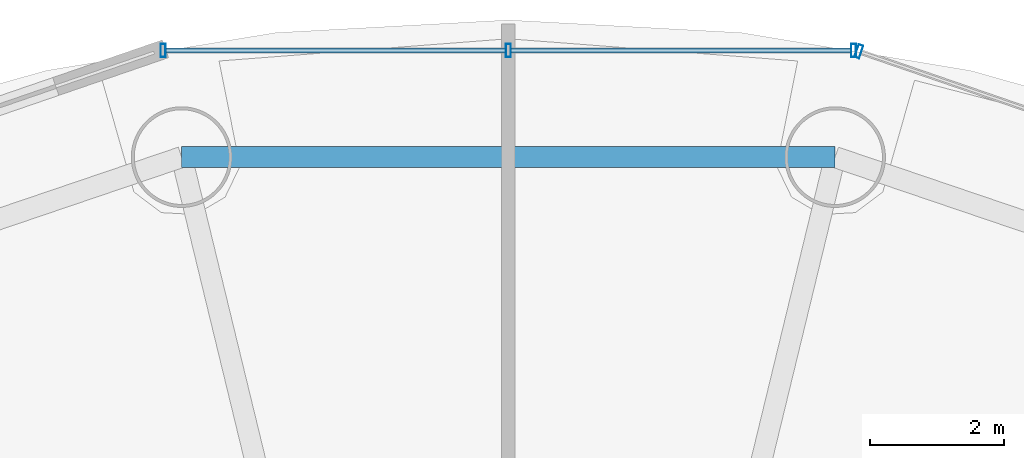
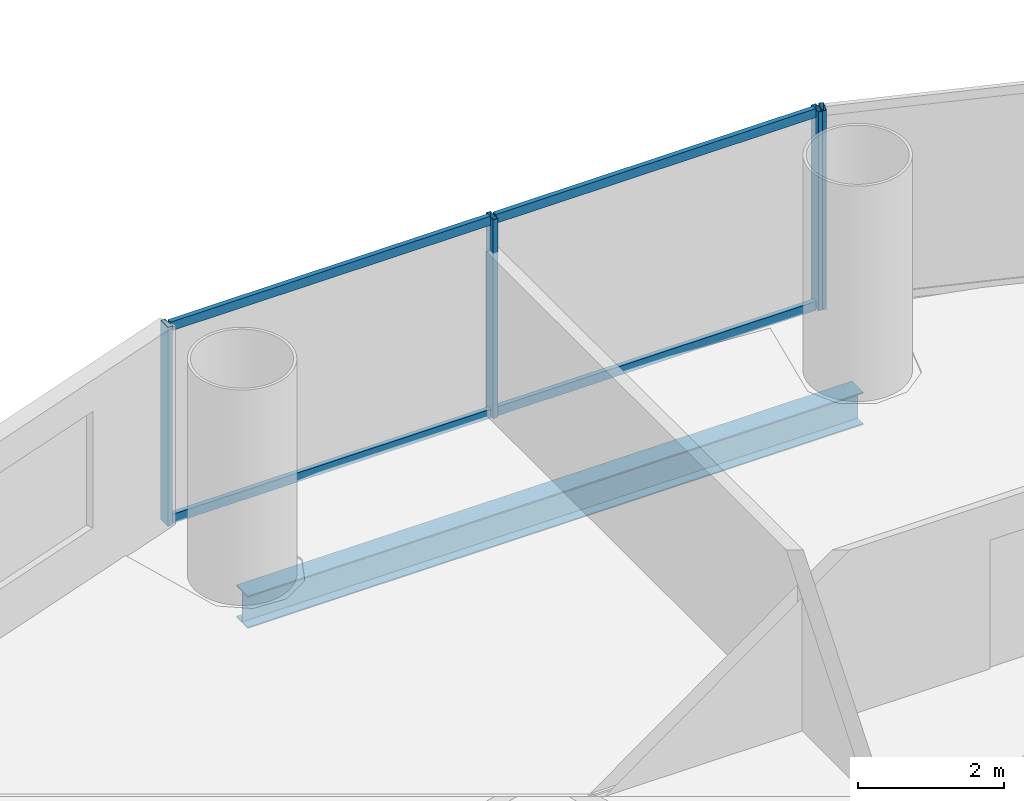
# One storey, part 18 of 29: 8 members, 1 beam, 2 elements without a shape of their own.
"""IFC4 building model written with IfcOpenShell, lengths in metres."""

import ifcopenshell
import ifcopenshell.guid

model = None  # the IFC model being written
_history = None  # IfcOwnerHistory: only IFC2X3 demands one
_inside = {}  # id of a spatial element -> (the spatial element, [elements in it])
_under = {}  # id of a project, library or spatial element -> (it, [spatial elements below it])
_declared = {}  # id of a project -> (the project, [libraries it declares])
_typed = {}  # id of a type object -> (the type object, [elements of that type])
_made_of = {}  # id of a material, layer set ... -> (it, [elements and type objects made of it])


def new_model(schema):
    """Start an empty IFC model of exactly this schema.

    Asked for "IFC4X3", IfcOpenShell would pick the latest addendum, in which some entities
    have other attributes; the version numbers below select the first issue.
    IFC2X3 requires an IfcOwnerHistory on every rooted entity: one is made here for all.
    """
    global model, _history
    if schema == "IFC4X3":
        model = ifcopenshell.file(schema_version=(4, 3, 0, 0))
    else:
        model = ifcopenshell.file(schema=schema)
    _inside.clear()
    _under.clear()
    _declared.clear()
    _typed.clear()
    _made_of.clear()
    _history = None
    if model.schema == "IFC2X3":
        org = make("IfcOrganization", Name="unknown")
        user = make(
            "IfcPersonAndOrganization",
            ThePerson=make("IfcPerson", FamilyName="unknown"),
            TheOrganization=org,
        )
        app = make(
            "IfcApplication",
            ApplicationDeveloper=org,
            Version="unknown",
            ApplicationFullName="unknown",
            ApplicationIdentifier="unknown",
        )
        _history = make(
            "IfcOwnerHistory",
            OwningUser=user,
            OwningApplication=app,
            ChangeAction="ADDED",
            CreationDate=0,
        )
    return model


def make(cls, **values):
    """One entity of the class cls with the attributes given. An attribute that is None is left unset."""
    return model.create_entity(
        cls, **{name: value for name, value in values.items() if value is not None}
    )


def rooted(cls, **values):
    """An entity with a GlobalId (a new one), such as an element, a storey or a relation."""
    return make(cls, GlobalId=ifcopenshell.guid.new(), OwnerHistory=_history, **values)


def si_unit(unit_type, name, prefix=None):
    """IfcSIUnit, for example si_unit("LENGTHUNIT", "METRE", prefix="MILLI")."""
    return make("IfcSIUnit", UnitType=unit_type, Prefix=prefix, Name=name)


def assignment(units):
    """IfcUnitAssignment: the units of a project."""
    return None if units is None else make("IfcUnitAssignment", Units=units)


def point(xyz):
    """IfcCartesianPoint."""
    return None if xyz is None else make("IfcCartesianPoint", Coordinates=xyz)


def direction(xyz):
    """IfcDirection."""
    return None if xyz is None else make("IfcDirection", DirectionRatios=xyz)


def frame(location, z_axis=None, x_axis=None):
    """IfcAxis2Placement3D, a coordinate frame: its origin and axes. An axis left out is left unset."""
    return make(
        "IfcAxis2Placement3D",
        Location=point(location),
        Axis=direction(z_axis),
        RefDirection=direction(x_axis),
    )


def frame_2d(location, x_axis=None):
    """IfcAxis2Placement2D, a coordinate frame in the plane: its origin and x axis."""
    return make(
        "IfcAxis2Placement2D", Location=point(location), RefDirection=direction(x_axis)
    )


def origin():
    """The frame at (0, 0, 0) with its axes left unset."""
    return frame((0.0, 0.0, 0.0))


def origin_2d():
    """The frame at (0, 0) in the plane with its x axis left unset."""
    return frame_2d((0.0, 0.0))


def place(relative_to, where):
    """IfcLocalPlacement: puts the frame where relative to a parent placement (None: the world)."""
    return make(
        "IfcLocalPlacement", PlacementRelTo=relative_to, RelativePlacement=where
    )


def context(
    kind, dimensions, precision=None, world=None, true_north=None, identifier=None
):
    """IfcGeometricRepresentationContext, for example the 3D "Model" context."""
    return make(
        "IfcGeometricRepresentationContext",
        ContextIdentifier=identifier,
        ContextType=kind,
        CoordinateSpaceDimension=dimensions,
        Precision=precision,
        WorldCoordinateSystem=world,
        TrueNorth=true_north,
    )


def subcontext(parent, identifier, kind, view, scale=None):
    """IfcGeometricRepresentationSubContext, for example "Body" below "Model"."""
    return make(
        "IfcGeometricRepresentationSubContext",
        ContextIdentifier=identifier,
        ContextType=kind,
        ParentContext=parent,
        TargetScale=scale,
        TargetView=view,
    )


def project(units=None, contexts=None):
    """IfcProject with its units and contexts."""
    return rooted(
        "IfcProject",
        Name="project",
        RepresentationContexts=contexts,
        UnitsInContext=assignment(units),
    )


def spatial(cls, under=None, at=None, **own):
    """A site, building, storey or space (cls), placed at a placement, below another one or the project."""
    s = rooted(cls, ObjectPlacement=at, **own)
    if under is not None:
        _under.setdefault(under.id(), (under, []))[1].append(s)
    return s


def profile(cls, at=None, kind="AREA", **sizes):
    """A parametric profile (cls). Its sizes go by their IFC names, for example OverallWidth=200.0."""
    return make(cls, ProfileType=kind, Position=at, **sizes)


def hollow_rectangle(**sizes):
    """IfcRectangleHollowProfileDef."""
    return profile("IfcRectangleHollowProfileDef", **sizes)


def i_section(**sizes):
    """IfcIShapeProfileDef."""
    return profile("IfcIShapeProfileDef", **sizes)


def extrude(swept, where, along, depth):
    """IfcExtrudedAreaSolid: the profile swept, set in the frame where, extruded along a direction by depth."""
    return make(
        "IfcExtrudedAreaSolid",
        SweptArea=swept,
        Position=where,
        ExtrudedDirection=direction(along),
        Depth=depth,
    )


def shape(context_of_items, identifier, shape_type, items):
    """IfcShapeRepresentation: the items that make up one representation, for example the "Body"."""
    return make(
        "IfcShapeRepresentation",
        ContextOfItems=context_of_items,
        RepresentationIdentifier=identifier,
        RepresentationType=shape_type,
        Items=items,
    )


def source(mapping_origin, context_of_items, identifier, shape_type, items):
    """IfcRepresentationMap: a shape defined once, which mapped items show again and again."""
    return make(
        "IfcRepresentationMap",
        MappingOrigin=mapping_origin,
        MappedRepresentation=shape(context_of_items, identifier, shape_type, items),
    )


def transform(
    local_origin,
    x_axis=None,
    y_axis=None,
    z_axis=None,
    scale=None,
    scale2=None,
    scale3=None,
    uniform=True,
):
    """IfcCartesianTransformationOperator3D, or its non-uniform kind. x_axis, y_axis, z_axis: its Axis1, 2, 3."""
    if uniform:
        return make(
            "IfcCartesianTransformationOperator3D",
            Axis1=direction(x_axis),
            Axis2=direction(y_axis),
            LocalOrigin=point(local_origin),
            Scale=scale,
            Axis3=direction(z_axis),
        )
    return make(
        "IfcCartesianTransformationOperator3DnonUniform",
        Axis1=direction(x_axis),
        Axis2=direction(y_axis),
        LocalOrigin=point(local_origin),
        Scale=scale,
        Axis3=direction(z_axis),
        Scale2=scale2,
        Scale3=scale3,
    )


def mapped(mapping_source, mapping_target):
    """IfcMappedItem: shows the shape of a source again, moved by a transform."""
    return make(
        "IfcMappedItem", MappingSource=mapping_source, MappingTarget=mapping_target
    )


def material(Name=None, Category=None):
    """IfcMaterial."""
    return make("IfcMaterial", Name=Name, Category=Category)


def material_profile(
    of_material, cross_section, Name=None, Category=None, Priority=None
):
    """IfcMaterialProfile: a cross section and its material."""
    return make(
        "IfcMaterialProfile",
        Name=Name,
        Material=of_material,
        Profile=cross_section,
        Priority=Priority,
        Category=Category,
    )


def profile_set(profiles, Name=None, composite=None):
    """IfcMaterialProfileSet."""
    return make(
        "IfcMaterialProfileSet",
        Name=Name,
        MaterialProfiles=profiles,
        CompositeProfile=composite,
    )


def made_of(thing, what):
    """Note that an element or type object is made of a material, layer set ...; save() writes the relation."""
    if what is not None:
        _made_of.setdefault(what.id(), (what, []))[1].append(thing)
    return thing


def type_object(cls, material=None, **own):
    """A type object (cls), such as IfcWallType, which elements share."""
    return made_of(rooted(cls, **own), material)


def element(
    cls,
    number,
    at=None,
    inside=None,
    cuts=None,
    type_object=None,
    material=None,
    context=None,
    identifier="Body",
    shape_type=None,
    held_by="IfcProductDefinitionShape",
    body=None,
    shapes=None,
    **own,
):
    """One element of the class cls, such as IfcWall. Its Tag is "e" and its number.

    at: its placement. inside: the storey or other place that contains it. cuts: it is an
    opening in that element (IfcRelVoidsElement). A single representation is given by context,
    identifier, shape_type and body (its items); several are given by shapes. held_by: the class
    of the entity that holds the representations. save() writes the other relations.
    """
    e = rooted(cls, Tag="e%d" % number, ObjectPlacement=at, **own)
    if body is not None:
        shapes = [shape(context, identifier, shape_type, body)]
    if shapes is not None:
        e.Representation = make(held_by, Representations=shapes)
    if inside is not None:
        _inside.setdefault(inside.id(), (inside, []))[1].append(e)
    if cuts is not None:
        rooted(
            "IfcRelVoidsElement", RelatingBuildingElement=cuts, RelatedOpeningElement=e
        )
    if type_object is not None:
        _typed.setdefault(type_object.id(), (type_object, []))[1].append(e)
    return made_of(e, material)


def aggregate(whole, parts):
    """IfcRelAggregates: a whole, such as a stair, and the parts it consists of."""
    return rooted("IfcRelAggregates", RelatingObject=whole, RelatedObjects=parts)


def save(model, path):
    """Write the relations noted so far, then the file.

    IfcRelAggregates (storeys below a building ...), IfcRelContainedInSpatialStructure (elements
    in a storey), IfcRelDefinesByType, IfcRelAssociatesMaterial and IfcRelDeclares: one each for
    every whole, place, type object, material and project.
    """
    for whole, parts in _under.values():
        aggregate(whole, parts)
    for where, things in _inside.values():
        rooted(
            "IfcRelContainedInSpatialStructure",
            RelatedElements=things,
            RelatingStructure=where,
        )
    for kind, things in _typed.values():
        rooted("IfcRelDefinesByType", RelatedObjects=things, RelatingType=kind)
    for what, things in _made_of.values():
        rooted("IfcRelAssociatesMaterial", RelatedObjects=things, RelatingMaterial=what)
    for by, libraries in _declared.values():
        rooted("IfcRelDeclares", RelatingContext=by, RelatedDefinitions=libraries)
    model.write(path)


model = new_model("IFC4")

# Units and contexts
model_context = context("Model", 3, precision=1e-05, world=origin(), true_north=direction((-0.2419218956, 0.970295726276)))
body_context = subcontext(model_context, "Body", "Model", "MODEL_VIEW")
ifc_project = project(units=[si_unit("LENGTHUNIT", "METRE"), si_unit("AREAUNIT", "SQUARE_METRE"), si_unit("VOLUMEUNIT", "CUBIC_METRE"), si_unit("PLANEANGLEUNIT", "RADIAN"), si_unit("MASSUNIT", "GRAM", prefix="KILO")], contexts=[model_context])

# Site, building, storey
site_placement = place(None, origin())
site = spatial("IfcSite", under=ifc_project, at=site_placement, CompositionType="ELEMENT")
building_placement = place(site_placement, origin())
building = spatial("IfcBuilding", under=site, at=building_placement, Name="Cobrevalo Terracotta Tower", CompositionType="ELEMENT")
storey_placement = place(building_placement, frame((0.0, 0.0, 79.800048828125)))
storey = spatial("IfcBuildingStorey", under=building, at=storey_placement, Name="L20", CompositionType="ELEMENT", Elevation=79.800048828125)

# Beam
ifc_material_1 = material(Name="Steel S355", Category="steel")
ifc_material_profile_1 = material_profile(ifc_material_1, i_section(OverallWidth=0.31201171875, OverallDepth=0.54296875, WebThickness=0.0126953125, FlangeThickness=0.020263671875, at=origin_2d()), Name="W 530x150")
ifc_profile_set_1 = profile_set([ifc_material_profile_1], Name="Steel S355")
beam_type = type_object("IfcBeamType", Name="Structural Spandrel W 530x150 (Steel S355)", PredefinedType="SPANDREL", material=ifc_profile_set_1)
beam_placement = place(storey_placement, frame((42.867431640625, 46.857177734375, -0.546630859375), z_axis=(-1.0, 0.0, 0.0), x_axis=(0.0, -1.0, 0.0)))
element("IfcBeam", 1, at=beam_placement, inside=storey, type_object=beam_type, Name="L20 perimeter ring spandrel 04", PredefinedType="SPANDREL", context=body_context, shape_type="SweptSolid", body=[
    extrude(i_section(OverallWidth=0.31201171875, OverallDepth=0.54296875, WebThickness=0.0126953125, FlangeThickness=0.020263671875, at=origin_2d()), origin(), (0.0, 0.0, 1.0), 9.73486328125),
])

# Curtain wall, member
ifc_material_2 = material(Name="Anodized aluminium", Category="aluminium")
curtain_wall_type = type_object("IfcCurtainWallType", Name="Lower-tower unitised acoustic low-E curtain wall CW-U1", PredefinedType="NOTDEFINED", material=ifc_material_2)
curtain_wall_1_placement = place(storey_placement, origin())
curtain_wall_1 = element("IfcCurtainWall", 2, at=curtain_wall_1_placement, inside=storey, type_object=curtain_wall_type, Name="L20 curtain wall CW-L20-S03", PredefinedType="NOTDEFINED")
ifc_material_profile_2 = material_profile(ifc_material_2, hollow_rectangle(XDim=0.074951171875, YDim=0.199951171875, WallThickness=0.0048828125, at=origin_2d()), Name="CWM 75x200")
ifc_profile_set_2 = profile_set([ifc_material_profile_2], Name="Anodized aluminium")
member_type_1 = type_object("IfcMemberType", Name="Lower/mid tower unitised mullion 75x200", PredefinedType="MULLION", material=ifc_profile_set_2)
shared_shape_1 = source(origin(), body_context, "Body", "SweptSolid", [
    extrude(hollow_rectangle(XDim=0.074951171875, YDim=0.199951171875, WallThickness=0.0048828125, at=origin_2d()), origin(), (0.0, 0.0, 1.0), 3.324951171875),
])
member_1_placement = place(storey_placement, frame((43.221435546875, 48.432861328125, 0.0), z_axis=(0.0, 0.0, 1.0), x_axis=(-0.94559809868, 0.325337110968, 0.0)))
member_1 = element("IfcMember", 3, at=member_1_placement, type_object=member_type_1, Name="CW-L20-S03 vertical mullion 03", PredefinedType="MULLION", context=body_context, shape_type="MappedRepresentation", body=[
    mapped(shared_shape_1, transform((0.0, 0.0, 0.0), scale=1.0)),
])
aggregate(curtain_wall_1, [member_1])

# Curtain wall, members
curtain_wall_2_placement = place(storey_placement, origin())
curtain_wall_2 = element("IfcCurtainWall", 4, at=curtain_wall_2_placement, inside=storey, type_object=curtain_wall_type, Name="L20 curtain wall CW-L20-S04", PredefinedType="NOTDEFINED")
member_2_placement = place(storey_placement, frame((43.1435546875, 48.446044921875, 0.0), z_axis=(0.0, 0.0, 1.0), x_axis=(-1.0, 0.0, 0.0)))
member_2 = element("IfcMember", 5, at=member_2_placement, type_object=member_type_1, Name="CW-L20-S04 vertical mullion 01", PredefinedType="MULLION", context=body_context, shape_type="MappedRepresentation", body=[
    mapped(shared_shape_1, transform((0.0, 0.0, 0.0), scale=1.0)),
])
member_3_placement = place(storey_placement, frame((38.0, 48.446044921875, 0.0), z_axis=(0.0, 0.0, 1.0), x_axis=(-1.0, 0.0, 0.0)))
member_3 = element("IfcMember", 6, at=member_3_placement, type_object=member_type_1, Name="CW-L20-S04 vertical mullion 02", PredefinedType="MULLION", context=body_context, shape_type="MappedRepresentation", body=[
    mapped(shared_shape_1, transform((0.0, 0.0, 0.0), scale=1.0)),
])
member_4_placement = place(storey_placement, frame((32.8564453125, 48.446044921875, 0.0), z_axis=(0.0, 0.0, 1.0), x_axis=(-1.0, 0.0, 0.0)))
member_4 = element("IfcMember", 7, at=member_4_placement, type_object=member_type_1, Name="CW-L20-S04 vertical mullion 03", PredefinedType="MULLION", context=body_context, shape_type="MappedRepresentation", body=[
    mapped(shared_shape_1, transform((0.0, 0.0, 0.0), scale=1.0)),
])
ifc_material_profile_3 = material_profile(ifc_material_2, hollow_rectangle(XDim=0.074951171875, YDim=0.14990234375, WallThickness=0.00439453125, at=origin_2d()), Name="CWT 75x150")
ifc_profile_set_3 = profile_set([ifc_material_profile_3], Name="Anodized aluminium")
member_type_2 = type_object("IfcMemberType", Name="Tower unitised aluminium transom 75x150", PredefinedType="USERDEFINED", material=ifc_profile_set_3)
shared_shape_2 = source(origin(), body_context, "Body", "SweptSolid", [
    extrude(hollow_rectangle(XDim=0.074951171875, YDim=0.14990234375, WallThickness=0.00439453125, at=origin_2d()), origin(), (0.0, 0.0, 1.0), 5.0634765625),
])
member_5_placement = place(storey_placement, frame((43.103515625, 48.446044921875, 0.050048828125), z_axis=(-1.0, 0.0, 0.0), x_axis=(0.0, -1.0, 0.0)))
member_5 = element("IfcMember", 8, at=member_5_placement, type_object=member_type_2, Name="CW-L20-S04 transom B01-T1", ObjectType="TRANSOM", PredefinedType="USERDEFINED", context=body_context, shape_type="MappedRepresentation", body=[
    mapped(shared_shape_2, transform((0.0, 0.0, 0.0), scale=1.0)),
])
member_6_placement = place(storey_placement, frame((43.103515625, 48.446044921875, 3.27490234375), z_axis=(-1.0, 0.0, 0.0), x_axis=(0.0, -1.0, 0.0)))
member_6 = element("IfcMember", 9, at=member_6_placement, type_object=member_type_2, Name="CW-L20-S04 transom B01-T2", ObjectType="TRANSOM", PredefinedType="USERDEFINED", context=body_context, shape_type="MappedRepresentation", body=[
    mapped(shared_shape_2, transform((0.0, 0.0, 0.0), scale=1.0)),
])
member_7_placement = place(storey_placement, frame((37.9599609375, 48.446044921875, 0.050048828125), z_axis=(-1.0, 0.0, 0.0), x_axis=(0.0, -1.0, 0.0)))
member_7 = element("IfcMember", 10, at=member_7_placement, type_object=member_type_2, Name="CW-L20-S04 transom B02-T1", ObjectType="TRANSOM", PredefinedType="USERDEFINED", context=body_context, shape_type="MappedRepresentation", body=[
    mapped(shared_shape_2, transform((0.0, 0.0, 0.0), scale=1.0)),
])
member_8_placement = place(storey_placement, frame((37.9599609375, 48.446044921875, 3.27490234375), z_axis=(-1.0, 0.0, 0.0), x_axis=(0.0, -1.0, 0.0)))
member_8 = element("IfcMember", 11, at=member_8_placement, type_object=member_type_2, Name="CW-L20-S04 transom B02-T2", ObjectType="TRANSOM", PredefinedType="USERDEFINED", context=body_context, shape_type="MappedRepresentation", body=[
    mapped(shared_shape_2, transform((0.0, 0.0, 0.0), scale=1.0)),
])
aggregate(curtain_wall_2, [member_2, member_3, member_4, member_5, member_6, member_7, member_8])

save(model, "model.ifc")
